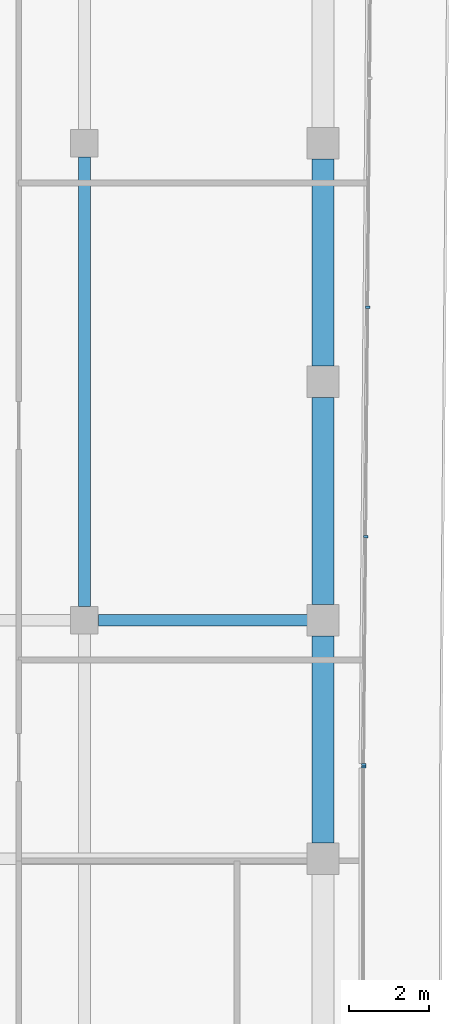
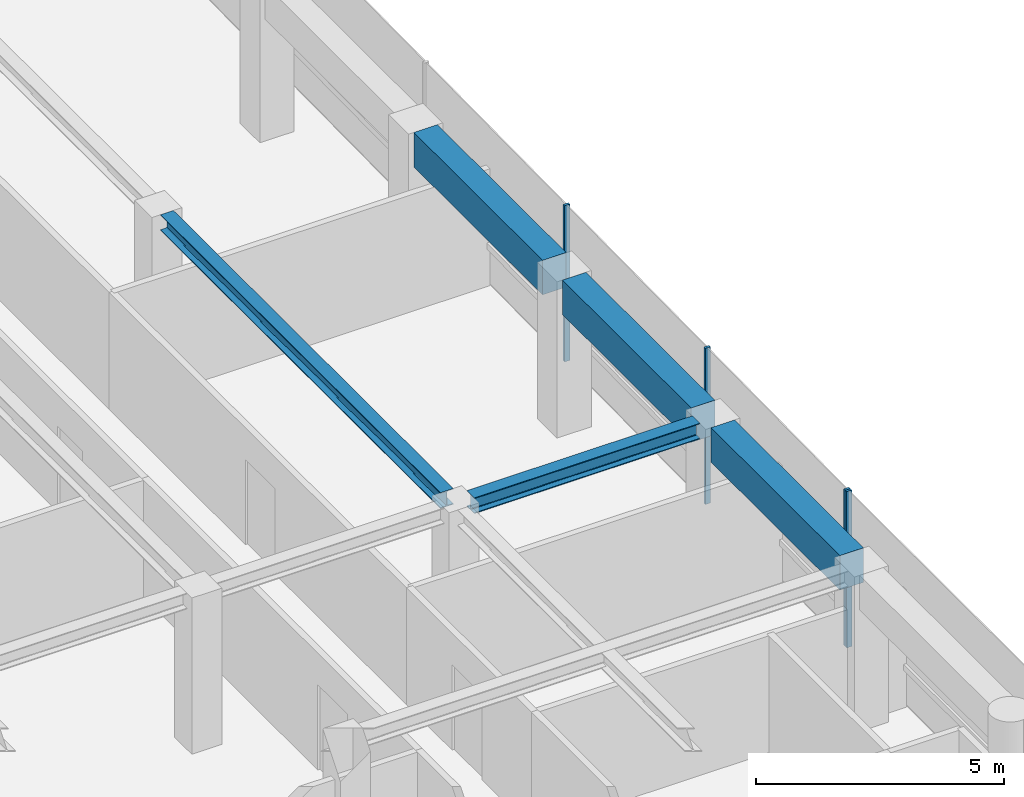
# One storey, part 8 of 19: 5 beams, 4 members, 2 elements without a shape of their own.
"""IFC4 building model written with IfcOpenShell, lengths in metres."""

from ifc_helpers import new_model, si_unit, direction, frame, origin, origin_2d, place, context, subcontext, project, spatial, rectangle, i_section, extrude, material, layer, layer_set, material_profile, profile_set, type_object, element, aggregate, save


model = new_model("IFC4")

# Units and contexts
model_context = context("Model", 3, precision=1e-05, world=origin(), true_north=direction((0.0, 1.0)))
body_context = subcontext(model_context, "Body", "Model", "MODEL_VIEW")
ifc_project = project(units=[si_unit("LENGTHUNIT", "METRE"), si_unit("AREAUNIT", "SQUARE_METRE"), si_unit("VOLUMEUNIT", "CUBIC_METRE"), si_unit("PLANEANGLEUNIT", "RADIAN"), si_unit("MASSUNIT", "GRAM", prefix="KILO")], contexts=[model_context])

# Site, building, storey
site_placement = place(None, origin())
site = spatial("IfcSite", under=ifc_project, at=site_placement, CompositionType="ELEMENT")
building_placement = place(site_placement, origin())
building = spatial("IfcBuilding", under=site, at=building_placement, Name="Welwitschia Terrace Campus", CompositionType="ELEMENT")
storey_placement = place(building_placement, frame((0.0, 0.0, 230.60009765625)))
storey = spatial("IfcBuildingStorey", under=building, at=storey_placement, Name="L51", CompositionType="ELEMENT", Elevation=230.60009765625)

# Beams
ifc_material_1 = material(Name="Steel S355", Category="steel")
ifc_material_profile_1 = material_profile(ifc_material_1, i_section(OverallWidth=0.300048828125, OverallDepth=0.389892578125, WebThickness=0.010986328125, FlangeThickness=0.01904296875, FilletRadius=0.027099609375, at=origin_2d()))
ifc_profile_set_1 = profile_set([ifc_material_profile_1], Name="Steel S355")
beam_type_1 = type_object("IfcBeamType", Name="Interior girder HE 400 A", PredefinedType="BEAM", material=ifc_profile_set_1)
beam_1_placement = place(storey_placement, frame((18.3505859375, 40.0, 3.65478515625), z_axis=(1.0, 0.0, 0.0), x_axis=(0.0, 1.0, 0.0)))
element("IfcBeam", 1, at=beam_1_placement, inside=storey, type_object=beam_type_1, Name="Girder GB5", PredefinedType="BEAM", context=body_context, shape_type="SweptSolid", body=[
    extrude(i_section(OverallWidth=0.300048828125, OverallDepth=0.389892578125, WebThickness=0.010986328125, FlangeThickness=0.01904296875, FilletRadius=0.027099609375, at=origin_2d()), origin(), (0.0, 0.0, 1.0), 5.259033203125),
])
beam_2_placement = place(storey_placement, frame((18.0, 40.3505859375, 3.65478515625), z_axis=(0.0, 1.0, 0.0), x_axis=(-1.0, 0.0, 0.0)))
element("IfcBeam", 2, at=beam_2_placement, inside=storey, type_object=beam_type_1, Name="Girder GB5", PredefinedType="BEAM", context=body_context, shape_type="SweptSolid", body=[
    extrude(i_section(OverallWidth=0.300048828125, OverallDepth=0.389892578125, WebThickness=0.010986328125, FlangeThickness=0.01904296875, FilletRadius=0.027099609375, at=origin_2d()), origin(), (0.0, 0.0, 1.0), 11.298828125),
])

# Curtain wall, member
ifc_material_2 = material(Name="Bronze anodised aluminium", Category="aluminium")
ifc_layer = layer(ifc_material_2, 0.1201171875)
ifc_layer_set = layer_set([ifc_layer], Name="Bronze anodised aluminium")
curtain_wall_type = type_object("IfcCurtainWallType", Name="Curtain wall CW2 tower 6000", PredefinedType="NOTDEFINED", material=ifc_layer_set)
curtain_wall_1_placement = place(storey_placement, origin())
curtain_wall_1 = element("IfcCurtainWall", 3, at=curtain_wall_1_placement, inside=storey, type_object=curtain_wall_type, Name="CW L51.9.0", PredefinedType="NOTDEFINED")
ifc_material_3 = material(Name="Bronze anodised aluminium", Category="aluminium")
ifc_material_profile_2 = material_profile(ifc_material_3, rectangle(XDim=0.1201171875, YDim=0.06005859375, at=origin_2d()))
ifc_profile_set_2 = profile_set([ifc_material_profile_2], Name="Bronze anodised aluminium")
member_type = type_object("IfcMemberType", Name="Mullion 60x120", PredefinedType="MULLION", material=ifc_profile_set_2)
member_1_placement = place(storey_placement, frame((25.030029296875, 36.309814453125, 0.0), z_axis=(0.0, 0.0, 1.0), x_axis=(-1.0, 0.0, 0.0)))
member_1 = element("IfcMember", 4, at=member_1_placement, type_object=member_type, Name="Mullion L51.9.0.1", PredefinedType="MULLION", context=body_context, shape_type="SweptSolid", body=[
    extrude(rectangle(XDim=0.1201171875, YDim=0.06005859375, at=origin_2d()), origin(), (0.0, 0.0, 1.0), 3.849853515625),
])
aggregate(curtain_wall_1, [member_1])

# Curtain wall, members
curtain_wall_2_placement = place(storey_placement, origin())
curtain_wall_2 = element("IfcCurtainWall", 5, at=curtain_wall_2_placement, inside=storey, type_object=curtain_wall_type, Name="CW L51.10.0", PredefinedType="NOTDEFINED")
member_2_placement = place(storey_placement, frame((25.0302734375, 36.369873046875, 0.0), z_axis=(0.0, 0.0, 1.0), x_axis=(-0.999961923064, 0.008726535498, 0.0)))
member_2 = element("IfcMember", 6, at=member_2_placement, type_object=member_type, Name="Mullion L51.10.0.0", PredefinedType="MULLION", context=body_context, shape_type="SweptSolid", body=[
    extrude(rectangle(XDim=0.1201171875, YDim=0.06005859375, at=origin_2d()), origin(), (0.0, 0.0, 1.0), 3.849853515625),
])
member_3_placement = place(storey_placement, frame((25.080322265625, 42.105224609375, 0.0), z_axis=(0.0, 0.0, 1.0), x_axis=(-0.999961923064, 0.008726535498, 0.0)))
member_3 = element("IfcMember", 7, at=member_3_placement, type_object=member_type, Name="Mullion L51.10.0.1", PredefinedType="MULLION", context=body_context, shape_type="SweptSolid", body=[
    extrude(rectangle(XDim=0.1201171875, YDim=0.06005859375, at=origin_2d()), origin(), (0.0, 0.0, 1.0), 3.849853515625),
])
member_4_placement = place(storey_placement, frame((25.130615234375, 47.87060546875, 0.0), z_axis=(0.0, 0.0, 1.0), x_axis=(-0.999961923064, 0.008726535498, 0.0)))
member_4 = element("IfcMember", 8, at=member_4_placement, type_object=member_type, Name="Mullion L51.10.0.2", PredefinedType="MULLION", context=body_context, shape_type="SweptSolid", body=[
    extrude(rectangle(XDim=0.1201171875, YDim=0.06005859375, at=origin_2d()), origin(), (0.0, 0.0, 1.0), 3.849853515625),
])
aggregate(curtain_wall_2, [member_2, member_3, member_4])

# Beams
ifc_material_4 = material(Name="Concrete C50/60", Category="concrete")
ifc_material_profile_3 = material_profile(ifc_material_4, rectangle(XDim=0.550048828125, YDim=0.85009765625, at=origin_2d()))
ifc_profile_set_3 = profile_set([ifc_material_profile_3], Name="Concrete C50/60")
beam_type_2 = type_object("IfcBeamType", Name="Ring spandrel 550x850", PredefinedType="SPANDREL", material=ifc_profile_set_3)
for number, where, z_axis, x_axis, name in (
    (9, (24.0, 34.400390625, 3.4248046875), (0.0, 1.0, 0.0), (-1.0, 0.0, 0.0), "Spandrel SP3"),
    (10, (24.0, 40.400390625, 3.4248046875), (0.0, 1.0, 0.0), (-1.0, 0.0, 0.0), "Spandrel SP3"),
    (11, (24.0, 46.400390625, 3.4248046875), (0.0, 1.0, 0.0), (-1.0, 0.0, 0.0), "Spandrel SP3"),
):
    element("IfcBeam", number, at=place(storey_placement, frame(where, z_axis=z_axis, x_axis=x_axis)), inside=storey, type_object=beam_type_2, Name=name, PredefinedType="SPANDREL", context=body_context, shape_type="SweptSolid", body=[
        extrude(rectangle(XDim=0.550048828125, YDim=0.85009765625, at=origin_2d()), origin(), (0.0, 0.0, 1.0), 5.19921875),
    ])

save(model, "model.ifc")
